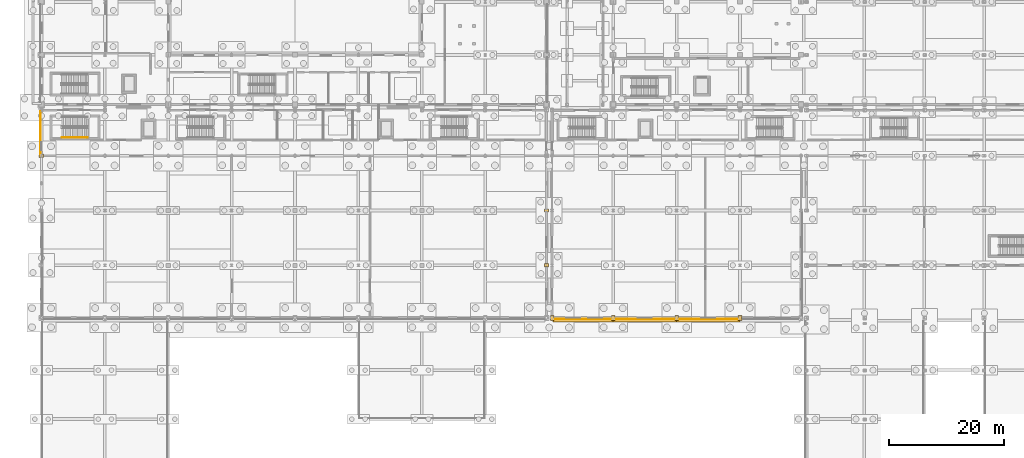
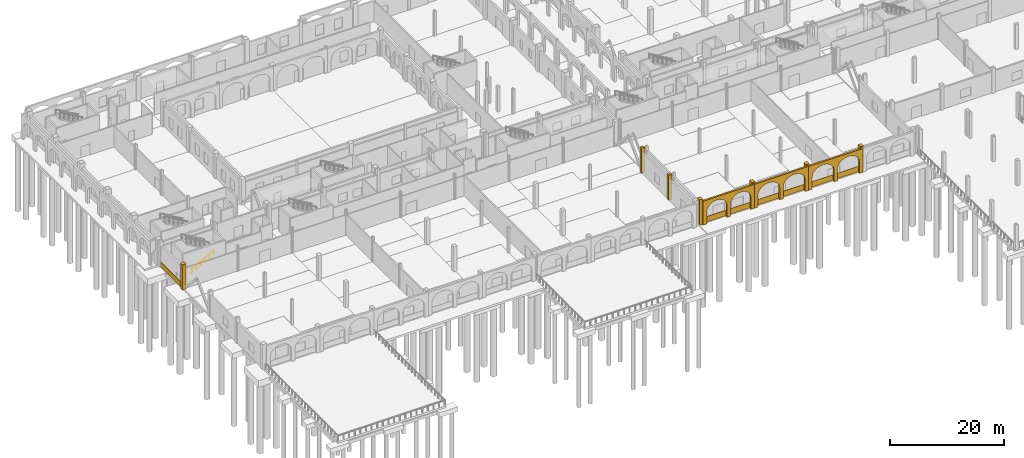
# One storey, part 66 of 83: 14 coverings, 1 railing.
"""IFC4 building model written with IfcOpenShell, lengths in metres."""

from ifc_helpers import new_model, si_unit, direction, frame, frame_2d, origin, origin_2d, place, context, subcontext, project, spatial, polyline, rectangle, circle, outline, extrude, material, layer, layer_set, type_object, element, save


model = new_model("IFC4")

# Units and contexts
model_context = context("Model", 3, precision=1e-05, world=origin(), true_north=direction((0.0, 1.0)))
body_context = subcontext(model_context, "Body", "Model", "MODEL_VIEW")
ifc_project = project(units=[si_unit("LENGTHUNIT", "METRE"), si_unit("AREAUNIT", "SQUARE_METRE"), si_unit("VOLUMEUNIT", "CUBIC_METRE"), si_unit("PLANEANGLEUNIT", "RADIAN"), si_unit("MASSUNIT", "GRAM", prefix="KILO")], contexts=[model_context])

# Site, building, storey
site_placement = place(None, origin())
site = spatial("IfcSite", under=ifc_project, at=site_placement, CompositionType="ELEMENT")
building_placement = place(site_placement, origin())
building = spatial("IfcBuilding", under=site, at=building_placement, Name="Caurita Quay Ferry Terminal", CompositionType="ELEMENT")
storey_placement = place(building_placement, origin())
storey = spatial("IfcBuildingStorey", under=building, at=storey_placement, Name="L00", CompositionType="ELEMENT", Elevation=0.0)

# Coverings
ifc_material_1 = material(Name="Warm-white lime stucco masonry", Category="masonry")
ifc_layer_1 = layer(ifc_material_1, 0.360107421875, Name="Spanish Colonial semicircular lime-stucco portales arcade 360 mm")
ifc_layer_set_1 = layer_set([ifc_layer_1], Name="Warm-white lime stucco masonry")
covering_type_1 = type_object("IfcCoveringType", Name="COV-ARC-CLD", PredefinedType="CLADDING", material=ifc_layer_set_1)
covering_1_placement = place(storey_placement, frame((88.800048828125, 34.0, 0.0), z_axis=(0.0, 0.0, 1.0), x_axis=(1.0, 0.0, 0.0)))
element("IfcCovering", 1, at=covering_1_placement, inside=storey, type_object=covering_type_1, Name="Harbourfront Coral-Stone Portales Arcade 026", PredefinedType="CLADDING", context=body_context, shape_type="SweptSolid", body=[
    extrude(outline(polyline([(0.0, 0.0), (0.719970703125, 0.0), (0.719970703125, 2.60009765625), (0.790283203125, 3.078857421875), (0.99609375, 3.52490234375), (1.3232421875, 3.908203125), (1.75, 4.2021484375), (2.246826171875, 4.386962890625), (2.780029296875, 4.449951171875), (3.313232421875, 4.386962890625), (3.81005859375, 4.2021484375), (4.236572265625, 3.908203125), (4.56396484375, 3.52490234375), (4.769775390625, 3.078857421875), (4.83984375, 2.60009765625), (4.83984375, 0.0), (5.56005859375, 0.0), (5.56005859375, 2.60009765625), (5.630126953125, 3.078857421875), (5.8359375, 3.52490234375), (6.163330078125, 3.908203125), (6.58984375, 4.2021484375), (7.086669921875, 4.386962890625), (7.619873046875, 4.449951171875), (8.153076171875, 4.386962890625), (8.64990234375, 4.2021484375), (9.07666015625, 3.908203125), (9.40380859375, 3.52490234375), (9.609619140625, 3.078857421875), (9.679931640625, 2.60009765625), (9.679931640625, 0.0), (10.39990234375, 0.0), (10.39990234375, 5.1201171875), (0.0, 5.1201171875), (0.0, 0.0)])), frame((0.0, 0.18017578125, 0.0), z_axis=(0.0, -1.0, 0.0), x_axis=(1.0, 0.0, 0.0)), (0.0, 0.0, 1.0), 0.360107421875),
])
for number, where, z_axis, x_axis, name in (
    (2, (99.199951171875, 34.0, 0.0), (0.0, 0.0, 1.0), (1.0, 0.0, 0.0), "Harbourfront Coral-Stone Portales Arcade 027"),
    (3, (110.199951171875, 34.0, 0.0), (0.0, 0.0, 1.0), (1.0, 0.0, 0.0), "Harbourfront Coral-Stone Portales Arcade 028"),
):
    element("IfcCovering", number, at=place(storey_placement, frame(where, z_axis=z_axis, x_axis=x_axis)), inside=storey, type_object=covering_type_1, Name=name, PredefinedType="CLADDING", context=body_context, shape_type="SweptSolid", body=[
        extrude(outline(polyline([(0.0, 0.0), (0.719970703125, 0.0), (0.719970703125, 2.60009765625), (0.79541015625, 3.078857421875), (1.01611328125, 3.52490234375), (1.3671875, 3.908203125), (1.824951171875, 4.2021484375), (2.35791015625, 4.386962890625), (2.929931640625, 4.449951171875), (3.501953125, 4.386962890625), (4.034912109375, 4.2021484375), (4.49267578125, 3.908203125), (4.843994140625, 3.52490234375), (5.064697265625, 3.078857421875), (5.139892578125, 2.60009765625), (5.139892578125, 0.0), (5.860107421875, 0.0), (5.860107421875, 2.60009765625), (5.935302734375, 3.078857421875), (6.156005859375, 3.52490234375), (6.50732421875, 3.908203125), (6.965087890625, 4.2021484375), (7.498046875, 4.386962890625), (8.070068359375, 4.449951171875), (8.64208984375, 4.386962890625), (9.175048828125, 4.2021484375), (9.6328125, 3.908203125), (9.98388671875, 3.52490234375), (10.20458984375, 3.078857421875), (10.280029296875, 2.60009765625), (10.280029296875, 0.0), (11.0, 0.0), (11.0, 5.1201171875), (0.0, 5.1201171875), (0.0, 0.0)])), frame((0.0, 0.18017578125, 0.0), z_axis=(0.0, -1.0, 0.0), x_axis=(1.0, 0.0, 0.0)), (0.0, 0.0, 1.0), 0.360107421875),
    ])
ifc_material_2 = material(Name="Coral stone ashlar cladding", Category="masonry")
ifc_layer_2 = layer(ifc_material_2, 0.054931640625, Name="Rusticated coral-stone basamento plinth cladding 55 mm")
ifc_layer_set_2 = layer_set([ifc_layer_2], Name="Coral stone ashlar cladding")
covering_type_2 = type_object("IfcCoveringType", Name="COV-CORAL-CLD", PredefinedType="CLADDING", material=ifc_layer_set_2)
covering_2_placement = place(storey_placement, frame((-0.195068359375, 70.405029296875, 0.0), z_axis=(0.0, 0.0, 1.0), x_axis=(0.0, -1.0, 0.0)))
element("IfcCovering", 4, at=covering_2_placement, inside=storey, type_object=covering_type_2, Name="Coral-Stone Basamento Cladding 135", PredefinedType="CLADDING", context=body_context, shape_type="SweptSolid", body=[
    extrude(rectangle(XDim=7.458984375, YDim=0.054931640625, at=frame_2d((3.7294921875, 0.0))), origin(), (0.0, 0.0, 1.0), 1.14990234375),
])
covering_3_placement = place(storey_placement, frame((88.845947265625, 34.405029296875, 0.0), z_axis=(0.0, 0.0, 1.0), x_axis=(1.0, 0.0, 0.0)))
element("IfcCovering", 5, at=covering_3_placement, inside=storey, type_object=covering_type_2, Name="Coral-Stone Basamento Cladding 137", PredefinedType="CLADDING", context=body_context, shape_type="SweptSolid", body=[
    extrude(rectangle(XDim=10.108154296875, YDim=0.054931640625, at=frame_2d((5.05419921875, 0.0))), origin(), (0.0, 0.0, 1.0), 1.14990234375),
])
for number, where, z_axis, x_axis, name in (
    (6, (99.446044921875, 34.405029296875, 0.0), (0.0, 0.0, 1.0), (1.0, 0.0, 0.0), "Coral-Stone Basamento Cladding 138"),
    (7, (110.446044921875, 34.405029296875, 0.0), (0.0, 0.0, 1.0), (1.0, 0.0, 0.0), "Coral-Stone Basamento Cladding 139"),
):
    element("IfcCovering", number, at=place(storey_placement, frame(where, z_axis=z_axis, x_axis=x_axis)), inside=storey, type_object=covering_type_2, Name=name, PredefinedType="CLADDING", context=body_context, shape_type="SweptSolid", body=[
        extrude(rectangle(XDim=10.508056640625, YDim=0.054931640625, at=frame_2d((5.25390625, 0.0))), origin(), (0.0, 0.0, 1.0), 1.14990234375),
    ])
ifc_layer_3 = layer(ifc_material_1, 0.179931640625, Name="Classical engaged lime-stucco facade pilaster cladding 180 mm")
ifc_layer_set_3 = layer_set([ifc_layer_3], Name="Warm-white lime stucco masonry")
covering_type_3 = type_object("IfcCoveringType", Name="COV-PIL-CLD", PredefinedType="CLADDING", material=ifc_layer_set_3)
covering_4_placement = place(storey_placement, frame((-0.050048828125, 62.699951171875, 0.0), z_axis=(0.0, 0.0, 1.0), x_axis=(1.0, 0.0, 0.0)))
element("IfcCovering", 8, at=covering_4_placement, inside=storey, type_object=covering_type_3, Name="L00 Classical Engaged Pilaster 0005", PredefinedType="CLADDING", context=body_context, shape_type="SweptSolid", body=[
    extrude(rectangle(XDim=0.7880859375, YDim=0.6279296875, at=origin_2d()), origin(), (0.0, 0.0, 1.0), 5.39990234375),
])
for number, where, z_axis, x_axis, name in (
    (9, (87.64990234375, 43.699951171875, 0.0), (0.0, 0.0, 1.0), (1.0, 0.0, 0.0), "L00 Classical Engaged Pilaster 0075"),
    (10, (87.64990234375, 53.199951171875, 0.0), (0.0, 0.0, 1.0), (1.0, 0.0, 0.0), "L00 Classical Engaged Pilaster 0077"),
):
    element("IfcCovering", number, at=place(storey_placement, frame(where, z_axis=z_axis, x_axis=x_axis)), inside=storey, type_object=covering_type_3, Name=name, PredefinedType="CLADDING", context=body_context, shape_type="SweptSolid", body=[
        extrude(rectangle(XDim=0.686279296875, YDim=0.53662109375, at=origin_2d()), origin(), (0.0, 0.0, 1.0), 5.39990234375),
    ])
for number, where, z_axis, x_axis, name in (
    (11, (88.60009765625, 34.550048828125, 0.0), (0.0, 0.0, 1.0), (1.0, 0.0, 0.0), "L00 Classical Engaged Pilaster 0082"),
    (12, (99.199951171875, 34.550048828125, 0.0), (0.0, 0.0, 1.0), (1.0, 0.0, 0.0), "L00 Classical Engaged Pilaster 0089"),
    (13, (110.199951171875, 34.550048828125, 0.0), (0.0, 0.0, 1.0), (1.0, 0.0, 0.0), "L00 Classical Engaged Pilaster 0096"),
    (14, (121.199951171875, 34.550048828125, 0.0), (0.0, 0.0, 1.0), (1.0, 0.0, 0.0), "L00 Classical Engaged Pilaster 0103"),
):
    element("IfcCovering", number, at=place(storey_placement, frame(where, z_axis=z_axis, x_axis=x_axis)), inside=storey, type_object=covering_type_3, Name=name, PredefinedType="CLADDING", context=body_context, shape_type="SweptSolid", body=[
        extrude(rectangle(XDim=0.6279296875, YDim=0.7880859375, at=origin_2d()), origin(), (0.0, 0.0, 1.0), 5.39990234375),
    ])

# Railing
ifc_material_3 = material(Name="Bronze architectural metalwork", Category="metal")
railing_type = type_object("IfcRailingType", Name="RL-HND-090", PredefinedType="HANDRAIL", material=ifc_material_3)
railing_placement = place(storey_placement, frame((3.550048828125, 65.85009765625, 0.168701171875)))
element("IfcRailing", 15, at=railing_placement, inside=storey, type_object=railing_type, Name="L00 ST-05 stair handrail 1", PredefinedType="HANDRAIL", context=body_context, shape_type="SweptSolid", body=[
    extrude(circle(Radius=0.02392578125, at=origin_2d()), frame((0.0, 0.0, 0.8759765625), z_axis=(0.871575537125, 0.0, 0.490261239633), x_axis=(0.0, 1.0, 0.0)), (0.0, 0.0, 1.0), 5.1630859375),
    extrude(circle(Radius=0.02099609375, at=origin_2d()), origin(), (0.0, 0.0, 1.0), 0.851806640625),
    extrude(circle(Radius=0.02099609375, at=origin_2d()), frame((0.89990234375, 0.0, 0.50634765625)), (0.0, 0.0, 1.0), 0.851806640625),
    extrude(circle(Radius=0.02099609375, at=origin_2d()), frame((1.800048828125, 0.0, 1.012451171875)), (0.0, 0.0, 1.0), 0.851806640625),
    extrude(circle(Radius=0.02099609375, at=origin_2d()), frame((2.699951171875, 0.0, 1.518798828125)), (0.0, 0.0, 1.0), 0.851806640625),
    extrude(circle(Radius=0.02099609375, at=origin_2d()), frame((3.60009765625, 0.0, 2.02490234375)), (0.0, 0.0, 1.0), 0.851806640625),
    extrude(circle(Radius=0.02099609375, at=origin_2d()), frame((4.5, 0.0, 2.53125)), (0.0, 0.0, 1.0), 0.851806640625),
])

save(model, "model.ifc")
